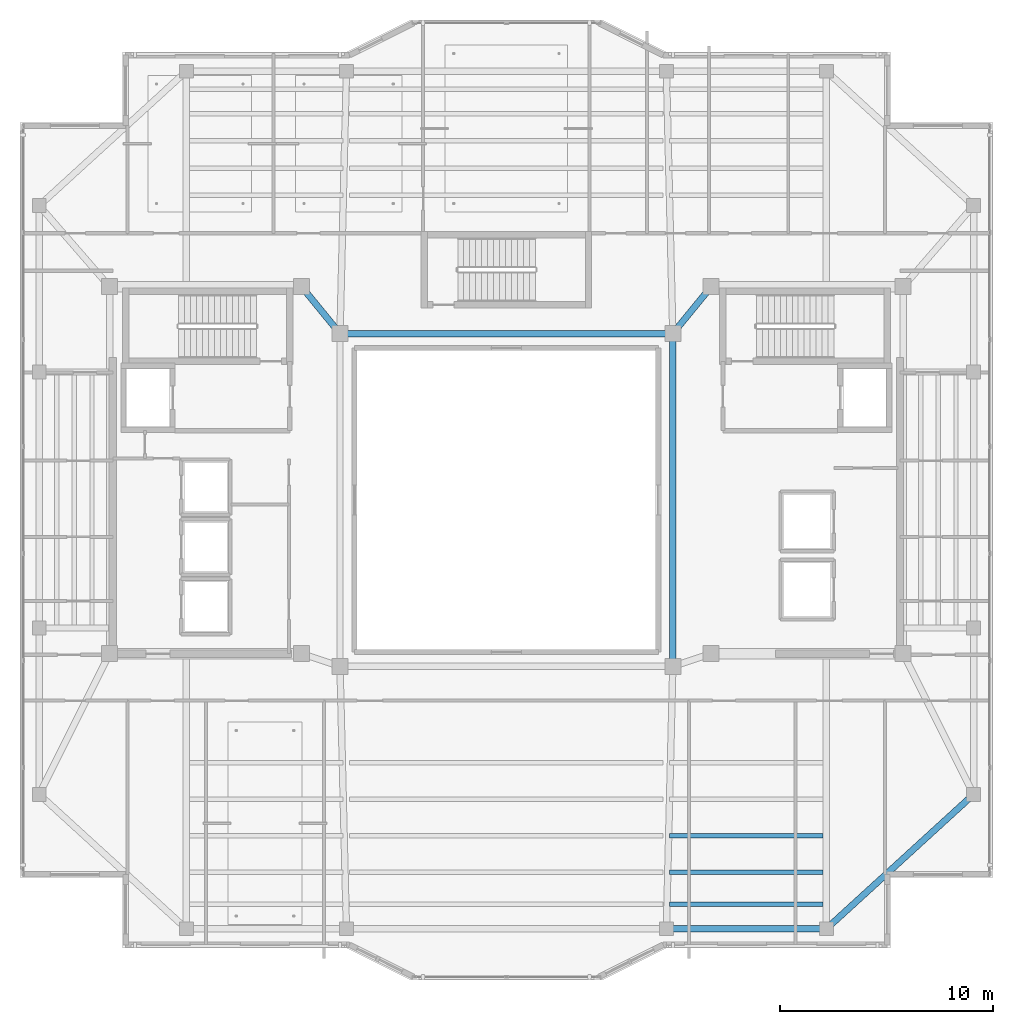
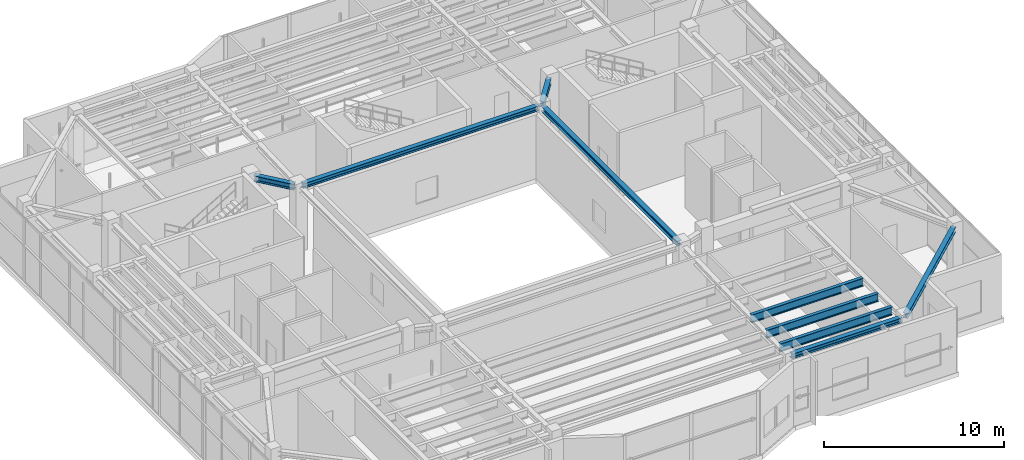
# One storey, part 7 of 25: 9 beams.
"""IFC4 building model written with IfcOpenShell, lengths in metres."""

from ifc_helpers import new_model, si_unit, direction, frame, origin, origin_2d, place, context, subcontext, project, spatial, i_section, extrude, material, material_profile, profile_set, type_object, element, save


model = new_model("IFC4")

# Units and contexts
model_context = context("Model", 3, precision=1e-05, world=origin(), true_north=direction((0.0, 1.0)))
body_context = subcontext(model_context, "Body", "Model", "MODEL_VIEW")
ifc_project = project(units=[si_unit("LENGTHUNIT", "METRE"), si_unit("AREAUNIT", "SQUARE_METRE"), si_unit("VOLUMEUNIT", "CUBIC_METRE"), si_unit("PLANEANGLEUNIT", "RADIAN"), si_unit("MASSUNIT", "GRAM", prefix="KILO")], contexts=[model_context])

# Site, building, storey
site_placement = place(None, origin())
site = spatial("IfcSite", under=ifc_project, at=site_placement, CompositionType="ELEMENT")
building_placement = place(site_placement, origin())
building = spatial("IfcBuilding", under=site, at=building_placement, Name="Tarnavaz Court Tower", CompositionType="ELEMENT")
storey_placement = place(building_placement, frame((0.0, 0.0, 271.64990234375)))
storey = spatial("IfcBuildingStorey", under=building, at=storey_placement, Name="L74", CompositionType="ELEMENT", Elevation=271.64990234375)

# Beams
ifc_material = material(Name="Steel S355", Category="steel")
ifc_material_profile_1 = material_profile(ifc_material, i_section(OverallWidth=0.300048828125, OverallDepth=0.39990234375, WebThickness=0.013427734375, FlangeThickness=0.02392578125, FilletRadius=0.027099609375, at=origin_2d()), Name="HEB 400")
ifc_profile_set_1 = profile_set([ifc_material_profile_1], Name="Steel S355")
beam_type_1 = type_object("IfcBeamType", Name="BM-G-HEB400", PredefinedType="USERDEFINED", material=ifc_profile_set_1)
for number, where, z_axis, x_axis, name in (
    (1, (-9.460693359375, 9.82958984375, 4.150146484375), (0.633282058357, -0.773921077735, 0.0), (0.773921077735, 0.633282058357, 0.0), "L74 Beam IN-CW-NI-IW-NW"),
    (2, (9.460693359375, 9.82958984375, 4.150146484375), (-0.633282058357, -0.773921077735, 0.0), (0.773921077735, -0.633282058357, 0.0), "L74 Beam IN-CE-NI-IW-NE"),
):
    element("IfcBeam", number, at=place(storey_placement, frame(where, z_axis=z_axis, x_axis=x_axis)), inside=storey, type_object=beam_type_1, Name=name, ObjectType="GIRDER", PredefinedType="USERDEFINED", context=body_context, shape_type="SweptSolid", body=[
        extrude(i_section(OverallWidth=0.300048828125, OverallDepth=0.39990234375, WebThickness=0.013427734375, FlangeThickness=0.02392578125, FilletRadius=0.027099609375, at=origin_2d()), origin(), (0.0, 0.0, 1.0), 2.402587890625),
    ])
ifc_material_profile_2 = material_profile(ifc_material, i_section(OverallWidth=0.2099609375, OverallDepth=0.550048828125, WebThickness=0.010986328125, FlangeThickness=0.01708984375, FilletRadius=0.02392578125, at=origin_2d()), Name="IPE 550")
ifc_profile_set_2 = profile_set([ifc_material_profile_2], Name="Steel S355")
beam_type_2 = type_object("IfcBeamType", Name="BM-J-IPE550", PredefinedType="JOIST", material=ifc_profile_set_2)
for number, where, z_axis, x_axis, name in (
    (3, (7.64990234375, -15.72998046875, 4.0751953125), (1.0, 0.0, 0.0), (0.0, 1.0, 0.0), "L74 Beam JS3-3"),
    (4, (7.64990234375, -17.43994140625, 4.0751953125), (1.0, 0.0, 0.0), (0.0, 1.0, 0.0), "L74 Beam JS4-3"),
    (5, (7.64990234375, -18.9599609375, 4.0751953125), (1.0, 0.0, 0.0), (0.0, 1.0, 0.0), "L74 Beam JS5-3"),
):
    element("IfcBeam", number, at=place(storey_placement, frame(where, z_axis=z_axis, x_axis=x_axis)), inside=storey, type_object=beam_type_2, Name=name, PredefinedType="JOIST", context=body_context, shape_type="SweptSolid", body=[
        extrude(i_section(OverallWidth=0.2099609375, OverallDepth=0.550048828125, WebThickness=0.010986328125, FlangeThickness=0.01708984375, FilletRadius=0.02392578125, at=origin_2d()), origin(), (0.0, 0.0, 1.0), 7.2001953125),
    ])
ifc_material_profile_3 = material_profile(ifc_material, i_section(OverallWidth=0.300048828125, OverallDepth=0.330078125, WebThickness=0.009521484375, FlangeThickness=0.0166015625, FilletRadius=0.027099609375, at=origin_2d()), Name="HEA 340")
ifc_profile_set_3 = profile_set([ifc_material_profile_3], Name="Steel S355")
beam_type_3 = type_object("IfcBeamType", Name="BM-SP-HEA340", PredefinedType="BEAM", material=ifc_profile_set_3)
for number, where, z_axis, x_axis, name in (
    (6, (-7.580078125, 7.800048828125, 4.18505859375), (1.0, 0.0, 0.0), (0.0, 1.0, 0.0), "L74 Beam IN-IW-NW-IW-NE"),
    (7, (7.800048828125, -7.580078125, 4.18505859375), (0.0, 1.0, 0.0), (-1.0, 0.0, 0.0), "L74 Beam IN-IW-SE-IW-NE"),
):
    element("IfcBeam", number, at=place(storey_placement, frame(where, z_axis=z_axis, x_axis=x_axis)), inside=storey, type_object=beam_type_3, Name=name, PredefinedType="BEAM", context=body_context, shape_type="SweptSolid", body=[
        extrude(i_section(OverallWidth=0.300048828125, OverallDepth=0.330078125, WebThickness=0.009521484375, FlangeThickness=0.0166015625, FilletRadius=0.027099609375, at=origin_2d()), origin(), (0.0, 0.0, 1.0), 15.16015625),
    ])
beam_1_placement = place(storey_placement, frame((7.719970703125, -20.10009765625, 4.18505859375), z_axis=(1.0, 0.0, 0.0), x_axis=(0.0, 1.0, 0.0)))
element("IfcBeam", 8, at=beam_1_placement, inside=storey, type_object=beam_type_3, Name="L74 Beam PR-PS-3-PS-4", PredefinedType="BEAM", context=body_context, shape_type="SweptSolid", body=[
    extrude(i_section(OverallWidth=0.300048828125, OverallDepth=0.330078125, WebThickness=0.009521484375, FlangeThickness=0.0166015625, FilletRadius=0.027099609375, at=origin_2d()), origin(), (0.0, 0.0, 1.0), 7.06005859375),
])
beam_2_placement = place(storey_placement, frame((21.737548828125, -13.9482421875, 4.18505859375), z_axis=(-0.738474214476, -0.674281717499, 0.0), x_axis=(0.674281717499, -0.738474214476, 0.0)))
element("IfcBeam", 9, at=beam_2_placement, inside=storey, type_object=beam_type_3, Name="L74 Beam PR-PE-1-PS-4", PredefinedType="BEAM", context=body_context, shape_type="SweptSolid", body=[
    extrude(i_section(OverallWidth=0.300048828125, OverallDepth=0.330078125, WebThickness=0.009521484375, FlangeThickness=0.0166015625, FilletRadius=0.027099609375, at=origin_2d()), origin(), (0.0, 0.0, 1.0), 8.9033203125),
])

save(model, "model.ifc")
